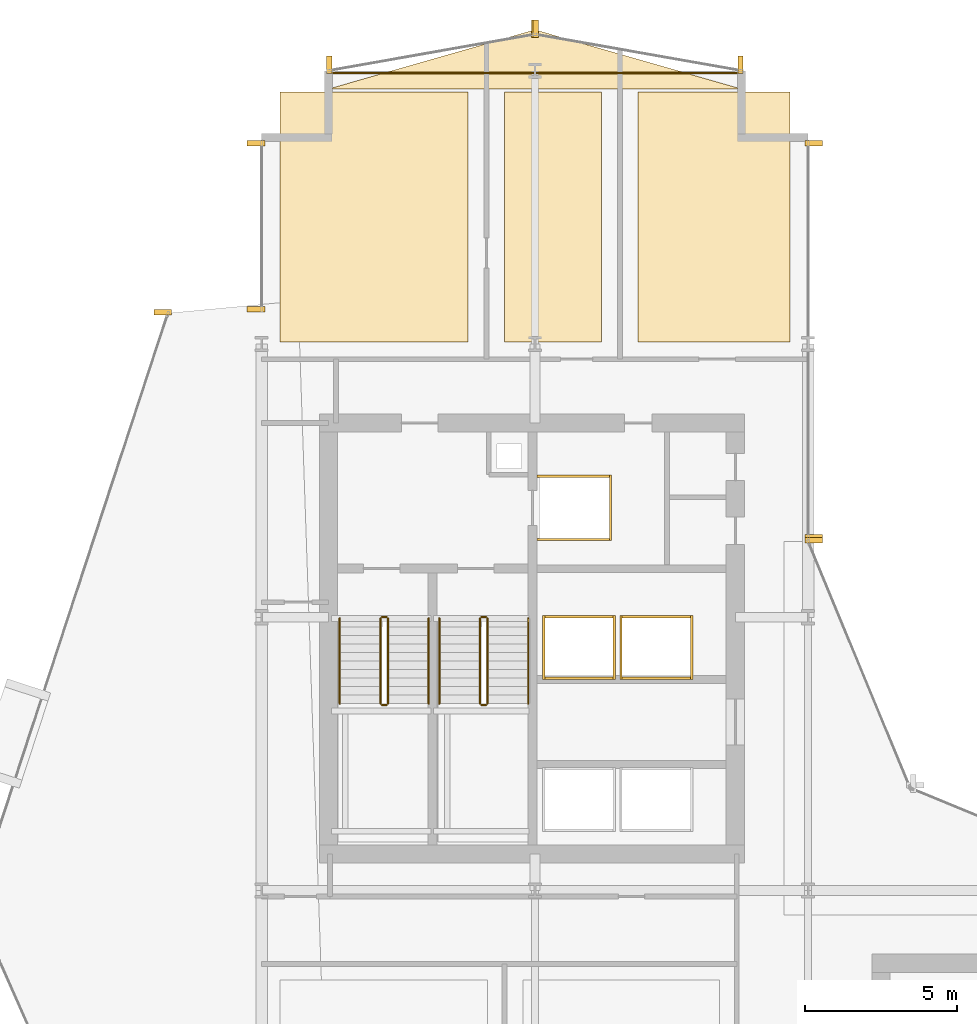
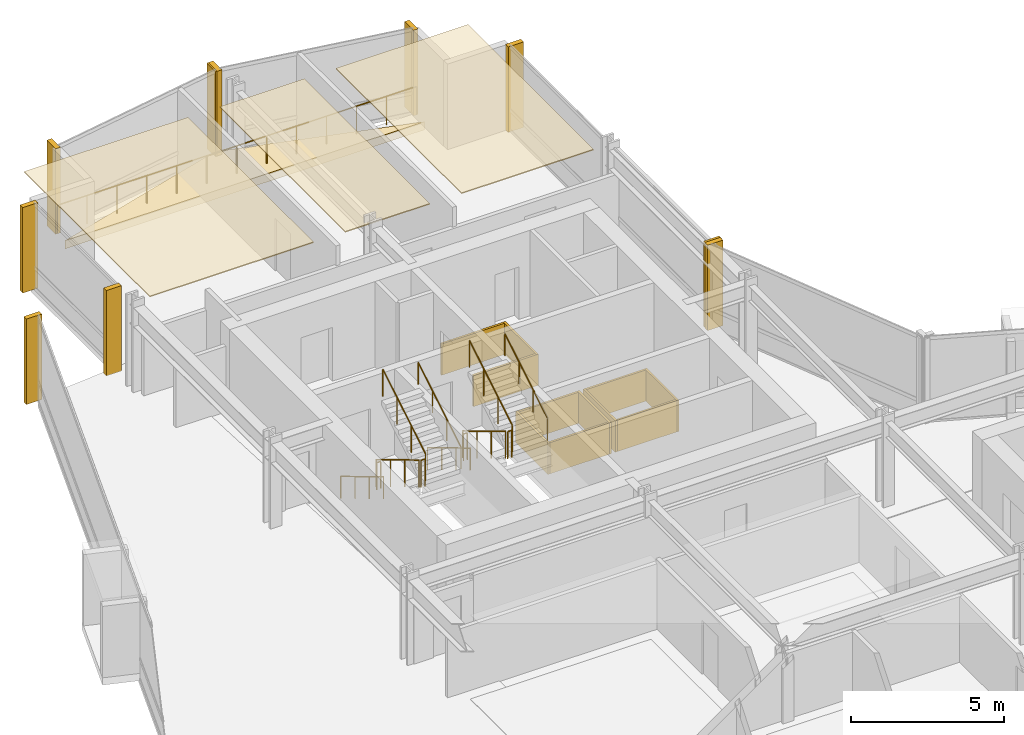
# One storey, part 33 of 34: 25 coverings, 13 railings.
"""IFC4 building model written with IfcOpenShell, lengths in metres."""

from ifc_helpers import new_model, si_unit, direction, frame, origin, origin_2d, place, context, subcontext, project, spatial, polyline, rectangle, circle, outline, extrude, material, layer, layer_set, type_object, element, save


model = new_model("IFC4")

# Units and contexts
model_context = context("Model", 3, precision=1e-05, world=origin(), true_north=direction((0.0, 1.0)))
body_context = subcontext(model_context, "Body", "Model", "MODEL_VIEW")
ifc_project = project(units=[si_unit("LENGTHUNIT", "METRE"), si_unit("AREAUNIT", "SQUARE_METRE"), si_unit("VOLUMEUNIT", "CUBIC_METRE"), si_unit("PLANEANGLEUNIT", "RADIAN"), si_unit("MASSUNIT", "GRAM", prefix="KILO")], contexts=[model_context])

# Site, building, storey
site_placement = place(None, origin())
site = spatial("IfcSite", under=ifc_project, at=site_placement, CompositionType="ELEMENT")
building_placement = place(site_placement, origin())
building = spatial("IfcBuilding", under=site, at=building_placement, Name="Solvaryn Broadcast Tower", CompositionType="ELEMENT")
storey_placement = place(building_placement, frame((0.0, 0.0, 47.10009765625)))
storey = spatial("IfcBuildingStorey", under=building, at=storey_placement, Name="L10", CompositionType="ELEMENT", Elevation=47.10009765625)

# Coverings
ifc_material_1 = material(Name="Micro-Perforated Acoustic Gypsum Ceiling", Category="concrete")
ifc_layer_1 = layer(ifc_material_1, 0.0400390625)
ifc_layer_set_1 = layer_set([ifc_layer_1], Name="CV-CEIL-ACOUSTIC")
covering_type_1 = type_object("IfcCoveringType", Name="CV-CEIL-ACOUSTIC", PredefinedType="CEILING", material=ifc_layer_set_1)
covering_1_placement = place(storey_placement, frame((0.0, 0.0, 3.3798828125)))
element("IfcCovering", 1, at=covering_1_placement, inside=storey, type_object=covering_type_1, Name="L10 Room Acoustic Ceiling 6", PredefinedType="CEILING", context=body_context, shape_type="SweptSolid", body=[
    extrude(outline(polyline([(9.60009765625, 45.070068359375), (15.800048828125, 45.070068359375), (15.800048828125, 53.300048828125), (9.60009765625, 53.300048828125), (9.60009765625, 45.070068359375)])), origin(), (0.0, 0.0, 1.0), 0.0400390625),
])
covering_2_placement = place(storey_placement, frame((0.0, 0.0, 3.3798828125)))
element("IfcCovering", 2, at=covering_2_placement, inside=storey, type_object=covering_type_1, Name="L10 Room Acoustic Ceiling 7", PredefinedType="CEILING", context=body_context, shape_type="SweptSolid", body=[
    extrude(outline(polyline([(17.0, 45.070068359375), (20.199951171875, 45.070068359375), (20.199951171875, 53.300048828125), (17.0, 53.300048828125), (17.0, 45.070068359375)])), origin(), (0.0, 0.0, 1.0), 0.0400390625),
])
covering_3_placement = place(storey_placement, frame((0.0, 0.0, 3.3798828125)))
element("IfcCovering", 3, at=covering_3_placement, inside=storey, type_object=covering_type_1, Name="L10 Room Acoustic Ceiling 8", PredefinedType="CEILING", context=body_context, shape_type="SweptSolid", body=[
    extrude(outline(polyline([(21.39990234375, 45.070068359375), (26.39990234375, 45.070068359375), (26.39990234375, 53.300048828125), (21.39990234375, 53.300048828125), (21.39990234375, 45.070068359375)])), origin(), (0.0, 0.0, 1.0), 0.0400390625),
])
ifc_material_2 = material(Name="Fire-Rated Gypsum Shaftwall Liner", Category="concrete")
ifc_layer_2 = layer(ifc_material_2, 0.080078125)
ifc_layer_set_2 = layer_set([ifc_layer_2], Name="CV-SHAFT-LINER")
covering_type_2 = type_object("IfcCoveringType", Name="CV-SHAFT-LINER", PredefinedType="CLADDING", material=ifc_layer_set_2)
for number, where, z_axis, x_axis, name in (
    (4, (19.300048828125, 40.639892578125, 0.0), (0.0, 0.0, 1.0), (1.0, 0.0, 0.0), "L10 FL1 Hoistway Shaft Liner North"),
    (5, (19.300048828125, 38.56005859375, 0.0), (0.0, 0.0, 1.0), (1.0, 0.0, 0.0), "L10 FL1 Hoistway Shaft Liner South"),
):
    element("IfcCovering", number, at=place(storey_placement, frame(where, z_axis=z_axis, x_axis=x_axis)), inside=storey, type_object=covering_type_2, Name=name, PredefinedType="CLADDING", context=body_context, shape_type="SweptSolid", body=[
        extrude(rectangle(XDim=2.4599609375, YDim=0.080078125, at=origin_2d()), origin(), (0.0, 0.0, 1.0), 1.25),
    ])
covering_4_placement = place(storey_placement, frame((20.489990234375, 39.60009765625, 0.0), z_axis=(0.0, 0.0, 1.0), x_axis=(1.0, 0.0, 0.0)))
element("IfcCovering", 6, at=covering_4_placement, inside=storey, type_object=covering_type_2, Name="L10 FL1 Hoistway Shaft Liner East", PredefinedType="CLADDING", context=body_context, shape_type="SweptSolid", body=[
    extrude(rectangle(XDim=0.080078125, YDim=2.159912109375, at=origin_2d()), origin(), (0.0, 0.0, 1.0), 1.25),
])
for number, where, z_axis, x_axis, name in (
    (7, (19.449951171875, 36.014892578125, 0.0), (0.0, 0.0, 1.0), (1.0, 0.0, 0.0), "L10 PH3 Hoistway Shaft Liner North"),
    (8, (19.449951171875, 33.985107421875, 0.0), (0.0, 0.0, 1.0), (1.0, 0.0, 0.0), "L10 PH3 Hoistway Shaft Liner South"),
):
    element("IfcCovering", number, at=place(storey_placement, frame(where, z_axis=z_axis, x_axis=x_axis)), inside=storey, type_object=covering_type_2, Name=name, PredefinedType="CLADDING", context=body_context, shape_type="SweptSolid", body=[
        extrude(rectangle(XDim=2.409912109375, YDim=0.080078125, at=origin_2d()), origin(), (0.0, 0.0, 1.0), 1.25),
    ])
for number, where, z_axis, x_axis, name in (
    (9, (20.614990234375, 35.0, 0.0), (0.0, 0.0, 1.0), (1.0, 0.0, 0.0), "L10 PH3 Hoistway Shaft Liner East"),
    (10, (18.284912109375, 35.0, 0.0), (0.0, 0.0, 1.0), (1.0, 0.0, 0.0), "L10 PH3 Hoistway Shaft Liner West"),
):
    element("IfcCovering", number, at=place(storey_placement, frame(where, z_axis=z_axis, x_axis=x_axis)), inside=storey, type_object=covering_type_2, Name=name, PredefinedType="CLADDING", context=body_context, shape_type="SweptSolid", body=[
        extrude(rectangle(XDim=0.080078125, YDim=2.110107421875, at=origin_2d()), origin(), (0.0, 0.0, 1.0), 1.25),
    ])
for number, where, z_axis, x_axis, name in (
    (11, (22.0, 36.014892578125, 0.0), (0.0, 0.0, 1.0), (1.0, 0.0, 0.0), "L10 PH4 Hoistway Shaft Liner North"),
    (12, (22.0, 33.985107421875, 0.0), (0.0, 0.0, 1.0), (1.0, 0.0, 0.0), "L10 PH4 Hoistway Shaft Liner South"),
):
    element("IfcCovering", number, at=place(storey_placement, frame(where, z_axis=z_axis, x_axis=x_axis)), inside=storey, type_object=covering_type_2, Name=name, PredefinedType="CLADDING", context=body_context, shape_type="SweptSolid", body=[
        extrude(rectangle(XDim=2.409912109375, YDim=0.080078125, at=origin_2d()), origin(), (0.0, 0.0, 1.0), 1.25),
    ])
for number, where, z_axis, x_axis, name in (
    (13, (23.1650390625, 35.0, 0.0), (0.0, 0.0, 1.0), (1.0, 0.0, 0.0), "L10 PH4 Hoistway Shaft Liner East"),
    (14, (20.8349609375, 35.0, 0.0), (0.0, 0.0, 1.0), (1.0, 0.0, 0.0), "L10 PH4 Hoistway Shaft Liner West"),
):
    element("IfcCovering", number, at=place(storey_placement, frame(where, z_axis=z_axis, x_axis=x_axis)), inside=storey, type_object=covering_type_2, Name=name, PredefinedType="CLADDING", context=body_context, shape_type="SweptSolid", body=[
        extrude(rectangle(XDim=0.080078125, YDim=2.110107421875, at=origin_2d()), origin(), (0.0, 0.0, 1.0), 1.25),
    ])
ifc_material_3 = material(Name="Extruded Architectural Terracotta Fin", Category="masonry")
ifc_layer_3 = layer(ifc_material_3, 0.179931640625)
ifc_layer_set_3 = layer_set([ifc_layer_3], Name="CV-TC-FIN")
covering_type_3 = type_object("IfcCoveringType", Name="CV-TC-FIN", PredefinedType="USERDEFINED", material=ifc_layer_set_3)
for number, where, z_axis, x_axis, name in (
    (15, (5.735595703125, 46.043701171875, 0.0), (0.0, 0.0, 1.0), (1.0, 0.0, 0.0), "L10 Terracotta Vertical Fin FIN-L10-DR1-M00"),
    (16, (8.8125, 46.14599609375, 0.0), (0.0, 0.0, 1.0), (1.0, 0.0, 0.0), "L10 Terracotta Vertical Fin FIN-L10-W2-M00"),
    (17, (8.8125, 51.6201171875, 0.0), (0.0, 0.0, 1.0), (1.0, 0.0, 0.0), "L10 Terracotta Vertical Fin FIN-L10-W2-M01"),
    (18, (27.1875, 51.6201171875, 0.0), (0.0, 0.0, 1.0), (1.0, 0.0, 0.0), "L10 Terracotta Vertical Fin FIN-L10-IV-M00"),
    (19, (27.1875, 38.6298828125, 0.0), (0.0, 0.0, 1.0), (1.0, 0.0, 0.0), "L10 Terracotta Vertical Fin FIN-L10-IV-M01"),
    (20, (27.177978515625, 38.541259765625, 0.0), (0.0, 0.0, 1.0), (1.0, 0.0, 0.0), "L10 Terracotta Vertical Fin FIN-L10-CN2-M01"),
):
    element("IfcCovering", number, at=place(storey_placement, frame(where, z_axis=z_axis, x_axis=x_axis)), inside=storey, type_object=covering_type_3, Name=name, ObjectType="FIN", PredefinedType="USERDEFINED", context=body_context, shape_type="SweptSolid", body=[
        extrude(rectangle(XDim=0.580078125, YDim=0.179931640625, at=origin_2d()), origin(), (0.0, 0.0, 1.0), 3.419921875),
    ])
for number, where, z_axis, x_axis, name in (
    (21, (24.7705078125, 54.192626953125, 0.0), (0.0, 0.0, 1.0), (1.0, 0.0, 0.0), "L10 Terracotta Vertical Fin FIN-L10-NT1-M00"),
    (22, (18.029541015625, 55.38232421875, 0.0), (0.0, 0.0, 1.0), (1.0, 0.0, 0.0), "L10 Terracotta Vertical Fin FIN-L10-NT1-M01"),
    (23, (17.970458984375, 55.38232421875, 0.0), (0.0, 0.0, 1.0), (1.0, 0.0, 0.0), "L10 Terracotta Vertical Fin FIN-L10-NT2-M00"),
    (24, (11.2294921875, 54.192626953125, 0.0), (0.0, 0.0, 1.0), (1.0, 0.0, 0.0), "L10 Terracotta Vertical Fin FIN-L10-NT2-M01"),
):
    element("IfcCovering", number, at=place(storey_placement, frame(where, z_axis=z_axis, x_axis=x_axis)), inside=storey, type_object=covering_type_3, Name=name, ObjectType="FIN", PredefinedType="USERDEFINED", context=body_context, shape_type="SweptSolid", body=[
        extrude(rectangle(XDim=0.179931640625, YDim=0.580078125, at=origin_2d()), origin(), (0.0, 0.0, 1.0), 3.419921875),
    ])
ifc_material_4 = material(Name="Sculpted Architectural Terracotta Wave Fascia", Category="masonry")
ifc_layer_4 = layer(ifc_material_4, 0.340087890625)
ifc_layer_set_4 = layer_set([ifc_layer_4], Name="CV-WAVE-TRAY")
covering_type_4 = type_object("IfcCoveringType", Name="CV-WAVE-TRAY", PredefinedType="CLADDING", material=ifc_layer_set_4)
covering_5_placement = place(storey_placement, frame((0.0, 0.0, -0.300048828125)))
element("IfcCovering", 25, at=covering_5_placement, inside=storey, type_object=covering_type_4, Name="L10 North Curved Wing Deck", PredefinedType="CLADDING", context=body_context, shape_type="SweptSolid", body=[
    extrude(outline(polyline([(11.199951171875, 53.39990234375), (24.800048828125, 53.39990234375), (18.0, 55.35009765625), (11.199951171875, 53.39990234375)])), origin(), (0.0, 0.0, 1.0), 0.329833984375),
])

# Railings
ifc_material_5 = material(Name="Painted Steel Stair Well Guard", Category="steel")
railing_type_1 = type_object("IfcRailingType", Name="RL-STAIR-GUARD", PredefinedType="BALUSTRADE", material=ifc_material_5)
railing_1_placement = place(storey_placement, frame((12.909912109375, 35.9599609375, 0.16796875)))
element("IfcRailing", 26, at=railing_1_placement, inside=storey, type_object=railing_type_1, Name="L10 ST1 stair guard 1", PredefinedType="BALUSTRADE", context=body_context, shape_type="SweptSolid", body=[
    extrude(circle(Radius=0.02392578125, at=origin_2d()), frame((0.0, 0.0, 1.076171875), z_axis=(0.0, -0.857242210791, 0.514913383045), x_axis=(1.0, 0.0, 0.0)), (0.0, 0.0, 1.0), 3.266357421875),
    extrude(circle(Radius=0.02099609375, at=origin_2d()), origin(), (0.0, 0.0, 1.0), 1.052001953125),
    extrude(circle(Radius=0.02099609375, at=origin_2d()), frame((0.0, -0.933349609375, 0.560546875)), (0.0, 0.0, 1.0), 1.052001953125),
    extrude(circle(Radius=0.02099609375, at=origin_2d()), frame((0.0, -1.86669921875, 1.121337890625)), (0.0, 0.0, 1.0), 1.052001953125),
    extrude(circle(Radius=0.02099609375, at=origin_2d()), frame((0.0, -2.800048828125, 1.681884765625)), (0.0, 0.0, 1.0), 1.052001953125),
])
railing_2_placement = place(storey_placement, frame((12.9599609375, 33.110107421875, 1.849853515625)))
element("IfcRailing", 27, at=railing_2_placement, inside=storey, type_object=railing_type_1, Name="L10 ST1 stair guard 2", PredefinedType="BALUSTRADE", context=body_context, shape_type="SweptSolid", body=[
    extrude(circle(Radius=0.02392578125, at=origin_2d()), frame((0.0, 0.0, 1.076171875), z_axis=(1.0, 0.0, 0.0), x_axis=(0.0, 1.0, 0.0)), (0.0, 0.0, 1.0), 0.150146484375),
    extrude(circle(Radius=0.02099609375, at=origin_2d()), origin(), (0.0, 0.0, 1.0), 1.052001953125),
    extrude(circle(Radius=0.02099609375, at=origin_2d()), frame((0.150146484375, 0.0, 0.0)), (0.0, 0.0, 1.0), 1.052001953125),
])
railing_3_placement = place(storey_placement, frame((13.159912109375, 33.159912109375, 2.01806640625)))
element("IfcRailing", 28, at=railing_3_placement, inside=storey, type_object=railing_type_1, Name="L10 ST1 stair guard 3", PredefinedType="BALUSTRADE", context=body_context, shape_type="SweptSolid", body=[
    extrude(circle(Radius=0.02392578125, at=origin_2d()), frame((0.0, 0.0, 1.076171875), z_axis=(0.0, 0.857242210791, 0.514913383045), x_axis=(-1.0, 0.0, 0.0)), (0.0, 0.0, 1.0), 3.266357421875),
    extrude(circle(Radius=0.02099609375, at=origin_2d()), origin(), (0.0, 0.0, 1.0), 1.052001953125),
    extrude(circle(Radius=0.02099609375, at=origin_2d()), frame((0.0, 0.933349609375, 0.560546875)), (0.0, 0.0, 1.0), 1.052001953125),
    extrude(circle(Radius=0.02099609375, at=origin_2d()), frame((0.0, 1.86669921875, 1.121337890625)), (0.0, 0.0, 1.0), 1.052001953125),
    extrude(circle(Radius=0.02099609375, at=origin_2d()), frame((0.0, 2.800048828125, 1.681884765625)), (0.0, 0.0, 1.0), 1.052001953125),
])
railing_4_placement = place(storey_placement, frame((12.9599609375, 36.010009765625, 0.0)))
element("IfcRailing", 29, at=railing_4_placement, inside=storey, type_object=railing_type_1, Name="L10 ST1 stair guard 4", PredefinedType="BALUSTRADE", context=body_context, shape_type="SweptSolid", body=[
    extrude(circle(Radius=0.02392578125, at=origin_2d()), frame((0.0, 0.0, 1.076171875), z_axis=(1.0, 0.0, 0.0), x_axis=(0.0, 1.0, 0.0)), (0.0, 0.0, 1.0), 0.150146484375),
    extrude(circle(Radius=0.02099609375, at=origin_2d()), origin(), (0.0, 0.0, 1.0), 1.052001953125),
    extrude(circle(Radius=0.02099609375, at=origin_2d()), frame((0.150146484375, 0.0, 0.0)), (0.0, 0.0, 1.0), 1.052001953125),
])
railing_5_placement = place(storey_placement, frame((16.18994140625, 35.9599609375, 0.16796875)))
element("IfcRailing", 30, at=railing_5_placement, inside=storey, type_object=railing_type_1, Name="L10 ST2 stair guard 1", PredefinedType="BALUSTRADE", context=body_context, shape_type="SweptSolid", body=[
    extrude(circle(Radius=0.02392578125, at=origin_2d()), frame((0.0, 0.0, 1.076171875), z_axis=(0.0, -0.857242210791, 0.514913383045), x_axis=(1.0, 0.0, 0.0)), (0.0, 0.0, 1.0), 3.266357421875),
    extrude(circle(Radius=0.02099609375, at=origin_2d()), origin(), (0.0, 0.0, 1.0), 1.052001953125),
    extrude(circle(Radius=0.02099609375, at=origin_2d()), frame((0.0, -0.933349609375, 0.560546875)), (0.0, 0.0, 1.0), 1.052001953125),
    extrude(circle(Radius=0.02099609375, at=origin_2d()), frame((0.0, -1.86669921875, 1.121337890625)), (0.0, 0.0, 1.0), 1.052001953125),
    extrude(circle(Radius=0.02099609375, at=origin_2d()), frame((0.0, -2.800048828125, 1.681884765625)), (0.0, 0.0, 1.0), 1.052001953125),
])
railing_6_placement = place(storey_placement, frame((16.239990234375, 33.110107421875, 1.849853515625)))
element("IfcRailing", 31, at=railing_6_placement, inside=storey, type_object=railing_type_1, Name="L10 ST2 stair guard 2", PredefinedType="BALUSTRADE", context=body_context, shape_type="SweptSolid", body=[
    extrude(circle(Radius=0.02392578125, at=origin_2d()), frame((0.0, 0.0, 1.076171875), z_axis=(1.0, 0.0, 0.0), x_axis=(0.0, 1.0, 0.0)), (0.0, 0.0, 1.0), 0.14990234375),
    extrude(circle(Radius=0.02099609375, at=origin_2d()), origin(), (0.0, 0.0, 1.0), 1.052001953125),
    extrude(circle(Radius=0.02099609375, at=origin_2d()), frame((0.14990234375, 0.0, 0.0)), (0.0, 0.0, 1.0), 1.052001953125),
])
railing_7_placement = place(storey_placement, frame((16.43994140625, 33.159912109375, 2.01806640625)))
element("IfcRailing", 32, at=railing_7_placement, inside=storey, type_object=railing_type_1, Name="L10 ST2 stair guard 3", PredefinedType="BALUSTRADE", context=body_context, shape_type="SweptSolid", body=[
    extrude(circle(Radius=0.02392578125, at=origin_2d()), frame((0.0, 0.0, 1.076171875), z_axis=(0.0, 0.857242210791, 0.514913383045), x_axis=(-1.0, 0.0, 0.0)), (0.0, 0.0, 1.0), 3.266357421875),
    extrude(circle(Radius=0.02099609375, at=origin_2d()), origin(), (0.0, 0.0, 1.0), 1.052001953125),
    extrude(circle(Radius=0.02099609375, at=origin_2d()), frame((0.0, 0.933349609375, 0.560546875)), (0.0, 0.0, 1.0), 1.052001953125),
    extrude(circle(Radius=0.02099609375, at=origin_2d()), frame((0.0, 1.86669921875, 1.121337890625)), (0.0, 0.0, 1.0), 1.052001953125),
    extrude(circle(Radius=0.02099609375, at=origin_2d()), frame((0.0, 2.800048828125, 1.681884765625)), (0.0, 0.0, 1.0), 1.052001953125),
])
railing_8_placement = place(storey_placement, frame((16.239990234375, 36.010009765625, 0.0)))
element("IfcRailing", 33, at=railing_8_placement, inside=storey, type_object=railing_type_1, Name="L10 ST2 stair guard 4", PredefinedType="BALUSTRADE", context=body_context, shape_type="SweptSolid", body=[
    extrude(circle(Radius=0.02392578125, at=origin_2d()), frame((0.0, 0.0, 1.076171875), z_axis=(1.0, 0.0, 0.0), x_axis=(0.0, 1.0, 0.0)), (0.0, 0.0, 1.0), 0.14990234375),
    extrude(circle(Radius=0.02099609375, at=origin_2d()), origin(), (0.0, 0.0, 1.0), 1.052001953125),
    extrude(circle(Radius=0.02099609375, at=origin_2d()), frame((0.14990234375, 0.0, 0.0)), (0.0, 0.0, 1.0), 1.052001953125),
])
ifc_material_6 = material(Name="Brushed Stainless Steel Tubular Handrail", Category="steel")
railing_type_2 = type_object("IfcRailingType", Name="RL-STAIR-HANDRAIL", PredefinedType="HANDRAIL", material=ifc_material_6)
railing_9_placement = place(storey_placement, frame((11.570068359375, 35.9599609375, 0.16796875)))
element("IfcRailing", 34, at=railing_9_placement, inside=storey, type_object=railing_type_2, Name="L10 ST1 stair handrail 1", PredefinedType="HANDRAIL", context=body_context, shape_type="SweptSolid", body=[
    extrude(circle(Radius=0.02392578125, at=origin_2d()), frame((0.0, 0.0, 0.8759765625), z_axis=(0.0, -0.857242210791, 0.514913383045), x_axis=(1.0, 0.0, 0.0)), (0.0, 0.0, 1.0), 3.266357421875),
    extrude(circle(Radius=0.02099609375, at=origin_2d()), origin(), (0.0, 0.0, 1.0), 0.851806640625),
    extrude(circle(Radius=0.02099609375, at=origin_2d()), frame((0.0, -0.933349609375, 0.560546875)), (0.0, 0.0, 1.0), 0.851806640625),
    extrude(circle(Radius=0.02099609375, at=origin_2d()), frame((0.0, -1.86669921875, 1.121337890625)), (0.0, 0.0, 1.0), 0.851806640625),
    extrude(circle(Radius=0.02099609375, at=origin_2d()), frame((0.0, -2.800048828125, 1.681884765625)), (0.0, 0.0, 1.0), 0.851806640625),
])
railing_10_placement = place(storey_placement, frame((14.5, 33.159912109375, 2.01806640625)))
element("IfcRailing", 35, at=railing_10_placement, inside=storey, type_object=railing_type_2, Name="L10 ST1 stair handrail 2", PredefinedType="HANDRAIL", context=body_context, shape_type="SweptSolid", body=[
    extrude(circle(Radius=0.02392578125, at=origin_2d()), frame((0.0, 0.0, 0.8759765625), z_axis=(0.0, 0.857242210791, 0.514913383045), x_axis=(-1.0, 0.0, 0.0)), (0.0, 0.0, 1.0), 3.266357421875),
    extrude(circle(Radius=0.02099609375, at=origin_2d()), origin(), (0.0, 0.0, 1.0), 0.851806640625),
    extrude(circle(Radius=0.02099609375, at=origin_2d()), frame((0.0, 0.933349609375, 0.560546875)), (0.0, 0.0, 1.0), 0.851806640625),
    extrude(circle(Radius=0.02099609375, at=origin_2d()), frame((0.0, 1.86669921875, 1.121337890625)), (0.0, 0.0, 1.0), 0.851806640625),
    extrude(circle(Radius=0.02099609375, at=origin_2d()), frame((0.0, 2.800048828125, 1.681884765625)), (0.0, 0.0, 1.0), 0.851806640625),
])
railing_11_placement = place(storey_placement, frame((14.85009765625, 35.9599609375, 0.16796875)))
element("IfcRailing", 36, at=railing_11_placement, inside=storey, type_object=railing_type_2, Name="L10 ST2 stair handrail 1", PredefinedType="HANDRAIL", context=body_context, shape_type="SweptSolid", body=[
    extrude(circle(Radius=0.02392578125, at=origin_2d()), frame((0.0, 0.0, 0.8759765625), z_axis=(0.0, -0.857242210791, 0.514913383045), x_axis=(1.0, 0.0, 0.0)), (0.0, 0.0, 1.0), 3.266357421875),
    extrude(circle(Radius=0.02099609375, at=origin_2d()), origin(), (0.0, 0.0, 1.0), 0.851806640625),
    extrude(circle(Radius=0.02099609375, at=origin_2d()), frame((0.0, -0.933349609375, 0.560546875)), (0.0, 0.0, 1.0), 0.851806640625),
    extrude(circle(Radius=0.02099609375, at=origin_2d()), frame((0.0, -1.86669921875, 1.121337890625)), (0.0, 0.0, 1.0), 0.851806640625),
    extrude(circle(Radius=0.02099609375, at=origin_2d()), frame((0.0, -2.800048828125, 1.681884765625)), (0.0, 0.0, 1.0), 0.851806640625),
])
railing_12_placement = place(storey_placement, frame((17.780029296875, 33.159912109375, 2.01806640625)))
element("IfcRailing", 37, at=railing_12_placement, inside=storey, type_object=railing_type_2, Name="L10 ST2 stair handrail 2", PredefinedType="HANDRAIL", context=body_context, shape_type="SweptSolid", body=[
    extrude(circle(Radius=0.02392578125, at=origin_2d()), frame((0.0, 0.0, 0.8759765625), z_axis=(0.0, 0.857242210791, 0.514913383045), x_axis=(-1.0, 0.0, 0.0)), (0.0, 0.0, 1.0), 3.266357421875),
    extrude(circle(Radius=0.02099609375, at=origin_2d()), origin(), (0.0, 0.0, 1.0), 0.851806640625),
    extrude(circle(Radius=0.02099609375, at=origin_2d()), frame((0.0, 0.933349609375, 0.560546875)), (0.0, 0.0, 1.0), 0.851806640625),
    extrude(circle(Radius=0.02099609375, at=origin_2d()), frame((0.0, 1.86669921875, 1.121337890625)), (0.0, 0.0, 1.0), 0.851806640625),
    extrude(circle(Radius=0.02099609375, at=origin_2d()), frame((0.0, 2.800048828125, 1.681884765625)), (0.0, 0.0, 1.0), 0.851806640625),
])
ifc_material_7 = material(Name="Stainless Steel and Laminated Glass Guard", Category="steel")
railing_type_3 = type_object("IfcRailingType", Name="RL-TER-1150", PredefinedType="BALUSTRADE", material=ifc_material_7)
railing_13_placement = place(storey_placement, frame((11.199951171875, 53.919921875, 0.0)))
element("IfcRailing", 38, at=railing_13_placement, inside=storey, type_object=railing_type_3, Name="L10 North Wing Spandrel Edge Guard", PredefinedType="BALUSTRADE", context=body_context, shape_type="SweptSolid", body=[
    extrude(circle(Radius=0.02392578125, at=origin_2d()), frame((0.0, 0.0, 1.1259765625), z_axis=(1.0, 0.0, 0.0), x_axis=(0.0, 1.0, 0.0)), (0.0, 0.0, 1.0), 13.60009765625),
    extrude(circle(Radius=0.02099609375, at=origin_2d()), origin(), (0.0, 0.0, 1.0), 1.101806640625),
    extrude(circle(Radius=0.02099609375, at=origin_2d()), frame((1.13330078125, 0.0, 0.0)), (0.0, 0.0, 1.0), 1.101806640625),
    extrude(circle(Radius=0.02099609375, at=origin_2d()), frame((2.2666015625, 0.0, 0.0)), (0.0, 0.0, 1.0), 1.101806640625),
    extrude(circle(Radius=0.02099609375, at=origin_2d()), frame((3.39990234375, 0.0, 0.0)), (0.0, 0.0, 1.0), 1.101806640625),
    extrude(circle(Radius=0.02099609375, at=origin_2d()), frame((4.533447265625, 0.0, 0.0)), (0.0, 0.0, 1.0), 1.101806640625),
    extrude(circle(Radius=0.02099609375, at=origin_2d()), frame((5.666748046875, 0.0, 0.0)), (0.0, 0.0, 1.0), 1.101806640625),
    extrude(circle(Radius=0.02099609375, at=origin_2d()), frame((6.800048828125, 0.0, 0.0)), (0.0, 0.0, 1.0), 1.101806640625),
    extrude(circle(Radius=0.02099609375, at=origin_2d()), frame((7.933349609375, 0.0, 0.0)), (0.0, 0.0, 1.0), 1.101806640625),
    extrude(circle(Radius=0.02099609375, at=origin_2d()), frame((9.066650390625, 0.0, 0.0)), (0.0, 0.0, 1.0), 1.101806640625),
    extrude(circle(Radius=0.02099609375, at=origin_2d()), frame((10.2001953125, 0.0, 0.0)), (0.0, 0.0, 1.0), 1.101806640625),
    extrude(circle(Radius=0.02099609375, at=origin_2d()), frame((11.33349609375, 0.0, 0.0)), (0.0, 0.0, 1.0), 1.101806640625),
    extrude(circle(Radius=0.02099609375, at=origin_2d()), frame((12.466796875, 0.0, 0.0)), (0.0, 0.0, 1.0), 1.101806640625),
    extrude(circle(Radius=0.02099609375, at=origin_2d()), frame((13.60009765625, 0.0, 0.0)), (0.0, 0.0, 1.0), 1.101806640625),
])

save(model, "model.ifc")
